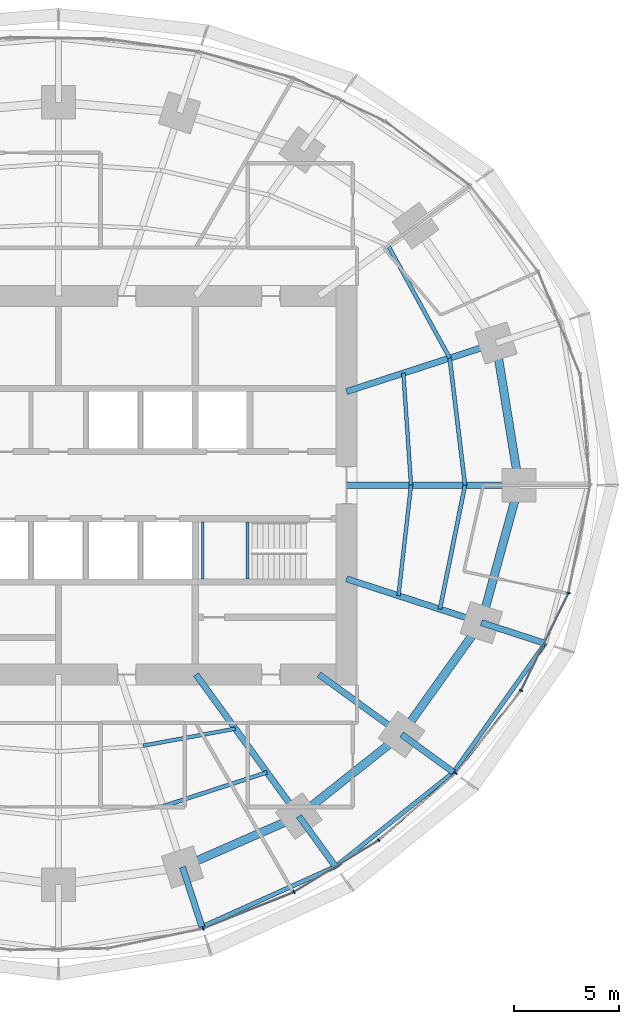
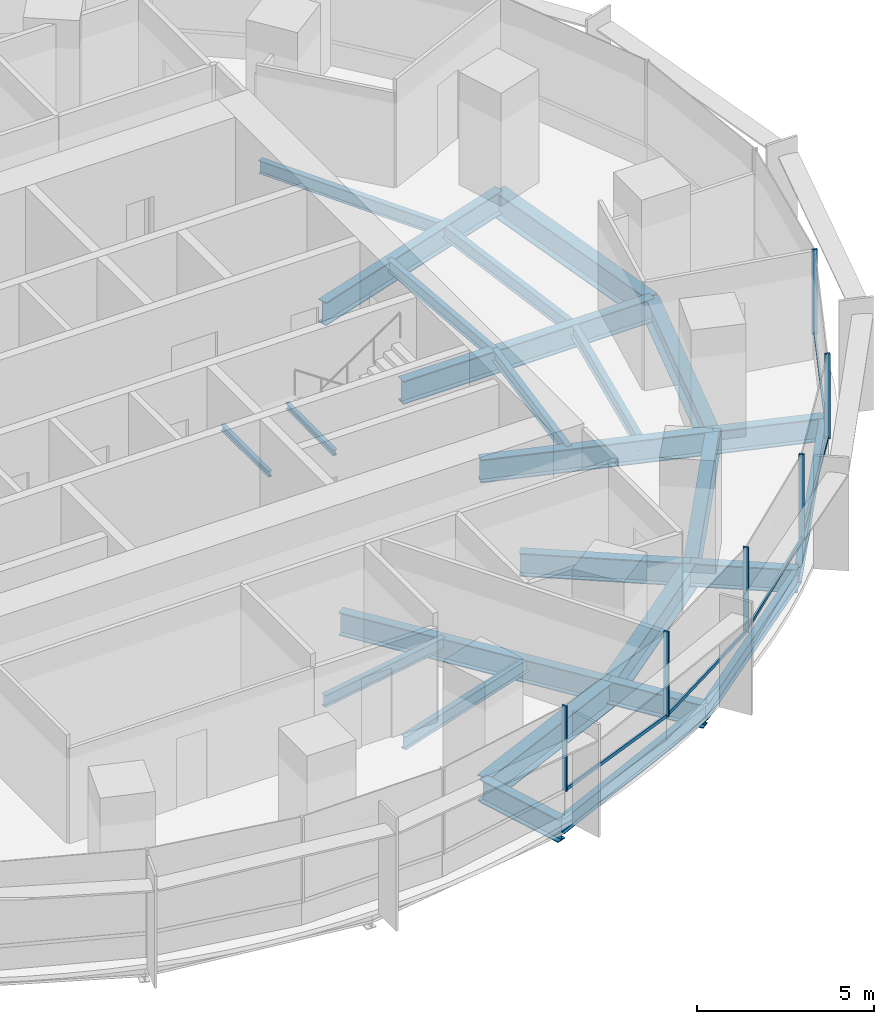
# One storey, part 5 of 14: 26 beams, 11 members, 2 elements without a shape of their own.
"""IFC4 building model written with IfcOpenShell, lengths in metres."""

from ifc_helpers import new_model, si_unit, direction, frame, origin, origin_2d, place, context, subcontext, project, spatial, rectangle, i_section, extrude, material, material_profile, profile_set, type_object, element, aggregate, save


model = new_model("IFC4")

# Units and contexts
model_context = context("Model", 3, precision=1e-05, world=origin(), true_north=direction((0.0, 1.0)))
body_context = subcontext(model_context, "Body", "Model", "MODEL_VIEW")
ifc_project = project(units=[si_unit("LENGTHUNIT", "METRE"), si_unit("AREAUNIT", "SQUARE_METRE"), si_unit("VOLUMEUNIT", "CUBIC_METRE"), si_unit("PLANEANGLEUNIT", "RADIAN"), si_unit("MASSUNIT", "GRAM", prefix="KILO")], contexts=[model_context])

# Site, building, storey
site_placement = place(None, origin())
site = spatial("IfcSite", under=ifc_project, at=site_placement, CompositionType="ELEMENT")
building_placement = place(site_placement, origin())
building = spatial("IfcBuilding", under=site, at=building_placement, Name="Marramba Exchange Tower", CompositionType="ELEMENT")
storey_placement = place(building_placement, frame((0.0, 0.0, 150.89990234375)))
storey = spatial("IfcBuildingStorey", under=building, at=storey_placement, Name="L36", CompositionType="ELEMENT", Elevation=150.89990234375)

# Beams
ifc_material_1 = material(Name="Steel AS/NZS 3679.2 grade 300", Category="steel")
ifc_material_profile_1 = material_profile(ifc_material_1, i_section(OverallWidth=0.300048828125, OverallDepth=0.800048828125, WebThickness=0.013916015625, FlangeThickness=0.031982421875, at=origin_2d()), Name="800WB192")
ifc_profile_set_1 = profile_set([ifc_material_profile_1], Name="Steel AS/NZS 3679.2 grade 300")
beam_type_1 = type_object("IfcBeamType", Name="Cantilever girder 800WB192", PredefinedType="BEAM", material=ifc_profile_set_1)
beam_1_placement = place(storey_placement, frame((5.899658203125, -18.156982421875, -0.559814453125), z_axis=(0.30903246226, -0.951051490336, 0.0), x_axis=(0.951051490336, 0.30903246226, 0.0)))
element("IfcBeam", 1, at=beam_1_placement, inside=storey, type_object=beam_type_1, Name="Cantilever girder L36 TC17", PredefinedType="BEAM", context=body_context, shape_type="SweptSolid", body=[
    extrude(i_section(OverallWidth=0.300048828125, OverallDepth=0.800048828125, WebThickness=0.013916015625, FlangeThickness=0.031982421875, at=origin_2d()), origin(), (0.0, 0.0, 1.0), 2.986328125),
])
beam_2_placement = place(storey_placement, frame((11.430419921875, -15.732666015625, -0.559814453125), z_axis=(0.587794986183, -0.8090099222, 0.0), x_axis=(0.8090099222, 0.587794986183, 0.0)))
element("IfcBeam", 2, at=beam_2_placement, inside=storey, type_object=beam_type_1, Name="Cantilever girder L36 TC18", PredefinedType="BEAM", context=body_context, shape_type="SweptSolid", body=[
    extrude(i_section(OverallWidth=0.300048828125, OverallDepth=0.800048828125, WebThickness=0.013916015625, FlangeThickness=0.031982421875, at=origin_2d()), origin(), (0.0, 0.0, 1.0), 2.9677734375),
])
beam_3_placement = place(storey_placement, frame((16.3154296875, -11.853759765625, -0.559814453125), z_axis=(0.809026231081, -0.587772538847, 0.0), x_axis=(0.587772538847, 0.809026231081, 0.0)))
element("IfcBeam", 3, at=beam_3_placement, inside=storey, type_object=beam_type_1, Name="Cantilever girder L36 TC19", PredefinedType="BEAM", context=body_context, shape_type="SweptSolid", body=[
    extrude(i_section(OverallWidth=0.300048828125, OverallDepth=0.800048828125, WebThickness=0.013916015625, FlangeThickness=0.031982421875, at=origin_2d()), origin(), (0.0, 0.0, 1.0), 3.055419921875),
])
beam_4_placement = place(storey_placement, frame((20.109375, -6.533935546875, -0.559814453125), z_axis=(0.951054839063, -0.309022156318, 0.0), x_axis=(0.309022156318, 0.951054839063, 0.0)))
element("IfcBeam", 4, at=beam_4_placement, inside=storey, type_object=beam_type_1, Name="Cantilever girder L36 TC20", PredefinedType="BEAM", context=body_context, shape_type="SweptSolid", body=[
    extrude(i_section(OverallWidth=0.300048828125, OverallDepth=0.800048828125, WebThickness=0.013916015625, FlangeThickness=0.031982421875, at=origin_2d()), origin(), (0.0, 0.0, 1.0), 3.19580078125),
])
ifc_material_2 = material(Name="Steel AS/NZS 3679.1 grade 300", Category="steel")
ifc_material_profile_2 = material_profile(ifc_material_2, i_section(OverallWidth=0.177978515625, OverallDepth=0.406005859375, WebThickness=0.0078125, FlangeThickness=0.0126953125, FilletRadius=0.011474609375, at=origin_2d()), Name="410UB59.7")
ifc_profile_set_2 = profile_set([ifc_material_profile_2], Name="Steel AS/NZS 3679.1 grade 300")
beam_type_2 = type_object("IfcBeamType", Name="Floor joist 410UB59.7", PredefinedType="JOIST", material=ifc_profile_set_2)
beam_5_placement = place(storey_placement, frame((16.7666015625, 0.0, -0.36279296875), z_axis=(-0.068096259546, 0.99767875563, 0.0), x_axis=(-0.99767875563, -0.068096259546, 0.0)))
element("IfcBeam", 5, at=beam_5_placement, inside=storey, type_object=beam_type_2, Name="Joist L36 bay 01 row 1", PredefinedType="JOIST", context=body_context, shape_type="SweptSolid", body=[
    extrude(i_section(OverallWidth=0.177978515625, OverallDepth=0.406005859375, WebThickness=0.0078125, FlangeThickness=0.0126953125, FilletRadius=0.011474609375, at=origin_2d()), origin(), (0.0, 0.0, 1.0), 5.342041015625),
])
beam_6_placement = place(storey_placement, frame((4.0244140625, -12.3857421875, -0.36279296875), z_axis=(0.983455754421, 0.181148500119, 0.0), x_axis=(-0.181148500119, 0.983455754421, 0.0)))
element("IfcBeam", 6, at=beam_6_placement, inside=storey, type_object=beam_type_2, Name="Joist L36 bay 17 row 1", PredefinedType="JOIST", context=body_context, shape_type="SweptSolid", body=[
    extrude(i_section(OverallWidth=0.177978515625, OverallDepth=0.406005859375, WebThickness=0.0078125, FlangeThickness=0.0126953125, FilletRadius=0.011474609375, at=origin_2d()), origin(), (0.0, 0.0, 1.0), 4.4609375),
])
beam_7_placement = place(storey_placement, frame((16.169677734375, -5.25390625, -0.36279296875), z_axis=(0.112888968594, 0.993607609054, 0.0), x_axis=(-0.993607609054, 0.112888968594, 0.0)))
element("IfcBeam", 7, at=beam_7_placement, inside=storey, type_object=beam_type_2, Name="Joist L36 bay 20 row 1", PredefinedType="JOIST", context=body_context, shape_type="SweptSolid", body=[
    extrude(i_section(OverallWidth=0.177978515625, OverallDepth=0.406005859375, WebThickness=0.0078125, FlangeThickness=0.0126953125, FilletRadius=0.011474609375, at=origin_2d()), origin(), (0.0, 0.0, 1.0), 5.28759765625),
])
ifc_material_profile_3 = material_profile(ifc_material_2, i_section(OverallWidth=0.18994140625, OverallDepth=0.4541015625, WebThickness=0.008544921875, FlangeThickness=0.0126953125, FilletRadius=0.011474609375, at=origin_2d()), Name="460UB67.1")
ifc_profile_set_3 = profile_set([ifc_material_profile_3], Name="Steel AS/NZS 3679.1 grade 300")
beam_type_3 = type_object("IfcBeamType", Name="Floor joist 460UB67.1", PredefinedType="JOIST", material=ifc_profile_set_3)
beam_8_placement = place(storey_placement, frame((19.333251953125, 0.0, -0.386962890625), z_axis=(-0.119523078538, 0.992831422597, 0.0), x_axis=(-0.992831422597, -0.119523078538, 0.0)))
element("IfcBeam", 8, at=beam_8_placement, inside=storey, type_object=beam_type_3, Name="Joist L36 bay 01 row 2", PredefinedType="JOIST", context=body_context, shape_type="SweptSolid", body=[
    extrude(i_section(OverallWidth=0.18994140625, OverallDepth=0.4541015625, WebThickness=0.008544921875, FlangeThickness=0.0126953125, FilletRadius=0.011474609375, at=origin_2d()), origin(), (0.0, 0.0, 1.0), 6.089111328125),
])
beam_9_placement = place(storey_placement, frame((18.60546875, 6.04541015625, -0.386962890625), z_axis=(-0.479584443791, 0.877495732909, 0.0), x_axis=(-0.877495732909, -0.479584443791, 0.0)))
element("IfcBeam", 9, at=beam_9_placement, inside=storey, type_object=beam_type_3, Name="Joist L36 bay 02 row 2", PredefinedType="JOIST", context=body_context, shape_type="SweptSolid", body=[
    extrude(i_section(OverallWidth=0.18994140625, OverallDepth=0.4541015625, WebThickness=0.008544921875, FlangeThickness=0.0126953125, FilletRadius=0.011474609375, at=origin_2d()), origin(), (0.0, 0.0, 1.0), 6.094970703125),
])
beam_10_placement = place(storey_placement, frame((4.9619140625, -15.271484375, -0.386962890625), z_axis=(0.950764024931, 0.309915744834, 0.0), x_axis=(-0.309915744834, 0.950764024931, 0.0)))
element("IfcBeam", 10, at=beam_10_placement, inside=storey, type_object=beam_type_3, Name="Joist L36 bay 17 row 2", PredefinedType="JOIST", context=body_context, shape_type="SweptSolid", body=[
    extrude(i_section(OverallWidth=0.18994140625, OverallDepth=0.4541015625, WebThickness=0.008544921875, FlangeThickness=0.0126953125, FilletRadius=0.011474609375, at=origin_2d()), origin(), (0.0, 0.0, 1.0), 5.2158203125),
])
beam_11_placement = place(storey_placement, frame((18.1396484375, -5.893798828125, -0.386962890625), z_axis=(0.198489047047, 0.980103105904, 0.0), x_axis=(-0.980103105904, 0.198489047047, 0.0)))
element("IfcBeam", 11, at=beam_11_placement, inside=storey, type_object=beam_type_3, Name="Joist L36 bay 20 row 2", PredefinedType="JOIST", context=body_context, shape_type="SweptSolid", body=[
    extrude(i_section(OverallWidth=0.18994140625, OverallDepth=0.4541015625, WebThickness=0.008544921875, FlangeThickness=0.0126953125, FilletRadius=0.011474609375, at=origin_2d()), origin(), (0.0, 0.0, 1.0), 6.013427734375),
])

# Curtain wall, member
ifc_material_3 = material(Name="Aluminium framing, bronze anodised", Category="aluminium")
curtain_wall_type = type_object("IfcCurtainWallType", Name="Office ribbon curtain wall", PredefinedType="USERDEFINED", material=ifc_material_3)
curtain_wall_1_placement = place(storey_placement, origin())
curtain_wall_1 = element("IfcCurtainWall", 12, at=curtain_wall_1_placement, inside=storey, type_object=curtain_wall_type, Name="Curtain wall CW4 L36 F21-F25", ObjectType="RIBBON CURTAIN WALL", PredefinedType="USERDEFINED")
ifc_material_4 = material(Name="Aluminium mullion, bronze anodised", Category="aluminium")
ifc_material_profile_4 = material_profile(ifc_material_4, rectangle(XDim=0.159912109375, YDim=0.06005859375, at=origin_2d()), Name="CW4 mullion 60x160")
ifc_profile_set_4 = profile_set([ifc_material_profile_4], Name="Aluminium mullion, bronze anodised")
member_type_1 = type_object("IfcMemberType", Name="Office ribbon curtain wall mullion", PredefinedType="MULLION", material=ifc_profile_set_4)
member_1_placement = place(storey_placement, frame((6.881103515625, -21.0810546875, 0.800048828125), z_axis=(0.0, 0.0, 1.0), x_axis=(-0.372209067082, 0.928148916059, 0.0)))
member_1 = element("IfcMember", 13, at=member_1_placement, type_object=member_type_1, Name="CW4 mullion 1", PredefinedType="MULLION", context=body_context, shape_type="SweptSolid", body=[
    extrude(rectangle(XDim=0.159912109375, YDim=0.06005859375, at=origin_2d()), origin(), (0.0, 0.0, 1.0), 2.93994140625),
])

# Curtain wall, members
curtain_wall_2_placement = place(storey_placement, origin())
curtain_wall_2 = element("IfcCurtainWall", 14, at=curtain_wall_2_placement, inside=storey, type_object=curtain_wall_type, Name="Curtain wall CW4 L36 F26-F30", ObjectType="RIBBON CURTAIN WALL", PredefinedType="USERDEFINED")
member_2_placement = place(storey_placement, frame((11.2021484375, -19.3427734375, 0.800048828125), z_axis=(0.0, 0.0, 1.0), x_axis=(-0.521732535664, 0.853109114492, 0.0)))
member_2 = element("IfcMember", 15, at=member_2_placement, type_object=member_type_1, Name="CW4 mullion 1", PredefinedType="MULLION", context=body_context, shape_type="SweptSolid", body=[
    extrude(rectangle(XDim=0.159912109375, YDim=0.06005859375, at=origin_2d()), origin(), (0.0, 0.0, 1.0), 2.93994140625),
])
member_3_placement = place(storey_placement, frame((15.232177734375, -16.872314453125, 0.800048828125), z_axis=(0.0, 0.0, 1.0), x_axis=(-0.656431647438, 0.754385506384, 0.0)))
member_3 = element("IfcMember", 16, at=member_3_placement, type_object=member_type_1, Name="CW4 mullion 1", PredefinedType="MULLION", context=body_context, shape_type="SweptSolid", body=[
    extrude(rectangle(XDim=0.159912109375, YDim=0.06005859375, at=origin_2d()), origin(), (0.0, 0.0, 1.0), 2.93994140625),
])
member_4_placement = place(storey_placement, frame((18.886962890625, -13.68505859375, 0.800048828125), z_axis=(0.0, 0.0, 1.0), x_axis=(-0.783170139469, 0.621807472329, 0.0)))
member_4 = element("IfcMember", 17, at=member_4_placement, type_object=member_type_1, Name="CW4 mullion 1", PredefinedType="MULLION", context=body_context, shape_type="SweptSolid", body=[
    extrude(rectangle(XDim=0.159912109375, YDim=0.06005859375, at=origin_2d()), origin(), (0.0, 0.0, 1.0), 2.93994140625),
])
member_5_placement = place(storey_placement, frame((21.994873046875, -9.760009765625, 0.800048828125), z_axis=(0.0, 0.0, 1.0), x_axis=(-0.89844486976, 0.439086342308, 0.0)))
member_5 = element("IfcMember", 18, at=member_5_placement, type_object=member_type_1, Name="CW4 mullion 1", PredefinedType="MULLION", context=body_context, shape_type="SweptSolid", body=[
    extrude(rectangle(XDim=0.159912109375, YDim=0.06005859375, at=origin_2d()), origin(), (0.0, 0.0, 1.0), 2.93994140625),
])
member_6_placement = place(storey_placement, frame((24.252197265625, -5.124267578125, 0.800048828125), z_axis=(0.0, 0.0, 1.0), x_axis=(-0.980393739376, 0.197048511267, 0.0)))
member_6 = element("IfcMember", 19, at=member_6_placement, type_object=member_type_1, Name="CW4 mullion 1", PredefinedType="MULLION", context=body_context, shape_type="SweptSolid", body=[
    extrude(rectangle(XDim=0.159912109375, YDim=0.06005859375, at=origin_2d()), origin(), (0.0, 0.0, 1.0), 2.93994140625),
])

# Member
ifc_material_5 = material(Name="Aluminium transom, bronze anodised", Category="aluminium")
ifc_material_profile_5 = material_profile(ifc_material_5, rectangle(XDim=0.06005859375, YDim=0.1201171875, at=origin_2d()), Name="CW4 transom 60x120")
ifc_profile_set_5 = profile_set([ifc_material_profile_5], Name="Aluminium transom, bronze anodised")
member_type_2 = type_object("IfcMemberType", Name="Office ribbon curtain wall transom", PredefinedType="USERDEFINED", material=ifc_profile_set_5)
member_7_placement = place(storey_placement, frame((6.908935546875, -21.06982421875, 0.830078125), z_axis=(0.928146753748, 0.372214459026, 0.0), x_axis=(-0.372214459026, 0.928146753748, 0.0)))
member_7 = element("IfcMember", 20, at=member_7_placement, type_object=member_type_2, Name="CW4 sill transom", ObjectType="TRANSOM", PredefinedType="USERDEFINED", context=body_context, shape_type="SweptSolid", body=[
    extrude(rectangle(XDim=0.06005859375, YDim=0.1201171875, at=origin_2d()), origin(), (0.0, 0.0, 1.0), 4.597900390625),
])

aggregate(curtain_wall_1, [member_1, member_7])

member_8_placement = place(storey_placement, frame((11.227783203125, -19.3271484375, 0.830078125), z_axis=(0.853124051379, 0.52170811088, 0.0), x_axis=(-0.52170811088, 0.853124051379, 0.0)))
member_8 = element("IfcMember", 21, at=member_8_placement, type_object=member_type_2, Name="CW4 sill transom", ObjectType="TRANSOM", PredefinedType="USERDEFINED", context=body_context, shape_type="SweptSolid", body=[
    extrude(rectangle(XDim=0.06005859375, YDim=0.1201171875, at=origin_2d()), origin(), (0.0, 0.0, 1.0), 4.66748046875),
])

member_9_placement = place(storey_placement, frame((15.2548828125, -16.8525390625, 0.830078125), z_axis=(0.754392594189, 0.65642350189, 0.0), x_axis=(-0.65642350189, 0.754392594189, 0.0)))
member_9 = element("IfcMember", 22, at=member_9_placement, type_object=member_type_2, Name="CW4 sill transom", ObjectType="TRANSOM", PredefinedType="USERDEFINED", context=body_context, shape_type="SweptSolid", body=[
    extrude(rectangle(XDim=0.06005859375, YDim=0.1201171875, at=origin_2d()), origin(), (0.0, 0.0, 1.0), 4.78955078125),
])

member_10_placement = place(storey_placement, frame((18.905517578125, -13.66162109375, 0.830078125), z_axis=(0.621777997945, 0.783193540111, 0.0), x_axis=(-0.783193540111, 0.621777997945, 0.0)))
member_10 = element("IfcMember", 23, at=member_10_placement, type_object=member_type_2, Name="CW4 sill transom", ObjectType="TRANSOM", PredefinedType="USERDEFINED", context=body_context, shape_type="SweptSolid", body=[
    extrude(rectangle(XDim=0.06005859375, YDim=0.1201171875, at=origin_2d()), origin(), (0.0, 0.0, 1.0), 4.947265625),
])

member_11_placement = place(storey_placement, frame((22.008056640625, -9.73291015625, 0.830078125), z_axis=(0.439090714557, 0.898442732949, 0.0), x_axis=(-0.898442732949, 0.439090714557, 0.0)))
member_11 = element("IfcMember", 24, at=member_11_placement, type_object=member_type_2, Name="CW4 sill transom", ObjectType="TRANSOM", PredefinedType="USERDEFINED", context=body_context, shape_type="SweptSolid", body=[
    extrude(rectangle(XDim=0.06005859375, YDim=0.1201171875, at=origin_2d()), origin(), (0.0, 0.0, 1.0), 5.096923828125),
])

aggregate(curtain_wall_2, [member_2, member_8, member_3, member_9, member_4, member_10, member_5, member_11, member_6])

# Beams
ifc_material_profile_6 = material_profile(ifc_material_1, i_section(OverallWidth=0.300048828125, OverallDepth=0.800048828125, WebThickness=0.013916015625, FlangeThickness=0.031982421875, at=origin_2d()), Name="800WB192")
ifc_profile_set_6 = profile_set([ifc_material_profile_6], Name="Steel AS/NZS 3679.2 grade 300")
beam_type_4 = type_object("IfcBeamType", Name="Radial girder 800WB192", PredefinedType="BEAM", material=ifc_profile_set_6)
beam_12_placement = place(storey_placement, frame((13.699951171875, 0.0, -0.559814453125), z_axis=(1.0, 0.0, 0.0), x_axis=(0.0, 1.0, 0.0)))
element("IfcBeam", 25, at=beam_12_placement, inside=storey, type_object=beam_type_4, Name="Radial girder L36 TC01", PredefinedType="BEAM", context=body_context, shape_type="SweptSolid", body=[
    extrude(i_section(OverallWidth=0.300048828125, OverallDepth=0.800048828125, WebThickness=0.013916015625, FlangeThickness=0.031982421875, at=origin_2d()), origin(), (0.0, 0.0, 1.0), 8.199951171875),
])
beam_13_placement = place(storey_placement, frame((13.699951171875, 4.451416015625, -0.559814453125), z_axis=(0.951059990189, 0.309006302624, 0.0), x_axis=(-0.309006302624, 0.951059990189, 0.0)))
element("IfcBeam", 26, at=beam_13_placement, inside=storey, type_object=beam_type_4, Name="Radial girder L36 TC02", PredefinedType="BEAM", context=body_context, shape_type="SweptSolid", body=[
    extrude(i_section(OverallWidth=0.300048828125, OverallDepth=0.800048828125, WebThickness=0.013916015625, FlangeThickness=0.031982421875, at=origin_2d()), origin(), (0.0, 0.0, 1.0), 7.47412109375),
])
beam_14_placement = place(storey_placement, frame((6.538818359375, -9.0, -0.559814453125), z_axis=(0.587787877172, -0.809015087282, 0.0), x_axis=(0.809015087282, 0.587787877172, 0.0)))
element("IfcBeam", 27, at=beam_14_placement, inside=storey, type_object=beam_type_4, Name="Radial girder L36 TC18", PredefinedType="BEAM", context=body_context, shape_type="SweptSolid", body=[
    extrude(i_section(OverallWidth=0.300048828125, OverallDepth=0.800048828125, WebThickness=0.013916015625, FlangeThickness=0.031982421875, at=origin_2d()), origin(), (0.0, 0.0, 1.0), 8.322021484375),
])
beam_15_placement = place(storey_placement, frame((12.387451171875, -9.0, -0.559814453125), z_axis=(0.809025189606, -0.58777397236, 0.0), x_axis=(0.58777397236, 0.809025189606, 0.0)))
element("IfcBeam", 28, at=beam_15_placement, inside=storey, type_object=beam_type_4, Name="Radial girder L36 TC19", PredefinedType="BEAM", context=body_context, shape_type="SweptSolid", body=[
    extrude(i_section(OverallWidth=0.300048828125, OverallDepth=0.800048828125, WebThickness=0.013916015625, FlangeThickness=0.031982421875, at=origin_2d()), origin(), (0.0, 0.0, 1.0), 4.855224609375),
])
beam_16_placement = place(storey_placement, frame((13.699951171875, -4.451416015625, -0.559814453125), z_axis=(0.951057759669, -0.309013167637, 0.0), x_axis=(0.309013167637, 0.951057759669, 0.0)))
element("IfcBeam", 29, at=beam_16_placement, inside=storey, type_object=beam_type_4, Name="Radial girder L36 TC20", PredefinedType="BEAM", context=body_context, shape_type="SweptSolid", body=[
    extrude(i_section(OverallWidth=0.300048828125, OverallDepth=0.800048828125, WebThickness=0.013916015625, FlangeThickness=0.031982421875, at=origin_2d()), origin(), (0.0, 0.0, 1.0), 6.7392578125),
])
ifc_material_profile_7 = material_profile(ifc_material_1, i_section(OverallWidth=0.39990234375, OverallDepth=0.89990234375, WebThickness=0.01611328125, FlangeThickness=0.031982421875, at=origin_2d()), Name="900WB282")
ifc_profile_set_7 = profile_set([ifc_material_profile_7], Name="Steel AS/NZS 3679.2 grade 300")
beam_type_5 = type_object("IfcBeamType", Name="Ring beam 900WB282", PredefinedType="SPANDREL", material=ifc_profile_set_7)
beam_17_placement = place(storey_placement, frame((21.89990234375, 0.0, -0.60986328125), z_axis=(-0.159384865399, 0.987216523708, 0.0), x_axis=(-0.987216523708, -0.159384865399, 0.0)))
element("IfcBeam", 30, at=beam_17_placement, inside=storey, type_object=beam_type_5, Name="Ring beam L36 TC01-TC02", PredefinedType="SPANDREL", context=body_context, shape_type="SweptSolid", body=[
    extrude(i_section(OverallWidth=0.39990234375, OverallDepth=0.89990234375, WebThickness=0.01611328125, FlangeThickness=0.031982421875, at=origin_2d()), origin(), (0.0, 0.0, 1.0), 6.8486328125),
])
beam_18_placement = place(storey_placement, frame((5.899658203125, -18.156982421875, -0.60986328125), z_axis=(0.915876892158, 0.4014592363, 0.0), x_axis=(-0.4014592363, 0.915876892158, 0.0)))
element("IfcBeam", 31, at=beam_18_placement, inside=storey, type_object=beam_type_5, Name="Ring beam L36 TC17-TC18", PredefinedType="SPANDREL", context=body_context, shape_type="SweptSolid", body=[
    extrude(i_section(OverallWidth=0.39990234375, OverallDepth=0.89990234375, WebThickness=0.01611328125, FlangeThickness=0.031982421875, at=origin_2d()), origin(), (0.0, 0.0, 1.0), 6.038818359375),
])
beam_19_placement = place(storey_placement, frame((11.430419921875, -15.732666015625, -0.60986328125), z_axis=(0.783139438128, 0.621846138887, 0.0), x_axis=(-0.621846138887, 0.783139438128, 0.0)))
element("IfcBeam", 32, at=beam_19_placement, inside=storey, type_object=beam_type_5, Name="Ring beam L36 TC18-TC19", PredefinedType="SPANDREL", context=body_context, shape_type="SweptSolid", body=[
    extrude(i_section(OverallWidth=0.39990234375, OverallDepth=0.89990234375, WebThickness=0.01611328125, FlangeThickness=0.031982421875, at=origin_2d()), origin(), (0.0, 0.0, 1.0), 6.23779296875),
])
beam_20_placement = place(storey_placement, frame((16.3154296875, -11.853759765625, -0.60986328125), z_axis=(0.580637181111, 0.814162430914, 0.0), x_axis=(-0.814162430914, 0.580637181111, 0.0)))
element("IfcBeam", 33, at=beam_20_placement, inside=storey, type_object=beam_type_5, Name="Ring beam L36 TC19-TC20", PredefinedType="SPANDREL", context=body_context, shape_type="SweptSolid", body=[
    extrude(i_section(OverallWidth=0.39990234375, OverallDepth=0.89990234375, WebThickness=0.01611328125, FlangeThickness=0.031982421875, at=origin_2d()), origin(), (0.0, 0.0, 1.0), 6.5341796875),
])
beam_21_placement = place(storey_placement, frame((20.109375, -6.533935546875, -0.60986328125), z_axis=(0.264291166956, 0.964442937176, 0.0), x_axis=(-0.964442937176, 0.264291166956, 0.0)))
element("IfcBeam", 34, at=beam_21_placement, inside=storey, type_object=beam_type_5, Name="Ring beam L36 TC20-TC01", PredefinedType="SPANDREL", context=body_context, shape_type="SweptSolid", body=[
    extrude(i_section(OverallWidth=0.39990234375, OverallDepth=0.89990234375, WebThickness=0.01611328125, FlangeThickness=0.031982421875, at=origin_2d()), origin(), (0.0, 0.0, 1.0), 6.77490234375),
])
ifc_material_profile_8 = material_profile(ifc_material_2, i_section(OverallWidth=0.208984375, OverallDepth=0.528076171875, WebThickness=0.009521484375, FlangeThickness=0.01318359375, FilletRadius=0.013916015625, at=origin_2d()), Name="530UB82.0")
ifc_profile_set_8 = profile_set([ifc_material_profile_8], Name="Steel AS/NZS 3679.1 grade 300")
beam_type_6 = type_object("IfcBeamType", Name="Slab edge beam 530UB82.0", PredefinedType="SPANDREL", material=ifc_profile_set_8)
beam_22_placement = place(storey_placement, frame((6.822509765625, -20.9970703125, -0.423828125), z_axis=(0.911653171624, 0.410960453898, 0.0), x_axis=(-0.410960453898, 0.911653171624, 0.0)))
element("IfcBeam", 35, at=beam_22_placement, inside=storey, type_object=beam_type_6, Name="Slab edge beam L36 TC17-TC18", PredefinedType="SPANDREL", context=body_context, shape_type="SweptSolid", body=[
    extrude(i_section(OverallWidth=0.208984375, OverallDepth=0.528076171875, WebThickness=0.009521484375, FlangeThickness=0.01318359375, FilletRadius=0.013916015625, at=origin_2d()), origin(), (0.0, 0.0, 1.0), 6.9677734375),
])
beam_23_placement = place(storey_placement, frame((13.1748046875, -18.133544921875, -0.423828125), z_axis=(0.781286404457, 0.624172695822, 0.0), x_axis=(-0.624172695822, 0.781286404457, 0.0)))
element("IfcBeam", 36, at=beam_23_placement, inside=storey, type_object=beam_type_6, Name="Slab edge beam L36 TC18-TC19", PredefinedType="SPANDREL", context=body_context, shape_type="SweptSolid", body=[
    extrude(i_section(OverallWidth=0.208984375, OverallDepth=0.528076171875, WebThickness=0.009521484375, FlangeThickness=0.01318359375, FilletRadius=0.013916015625, at=origin_2d()), origin(), (0.0, 0.0, 1.0), 7.183837890625),
])
beam_24_placement = place(storey_placement, frame((18.787353515625, -13.649658203125, -0.423828125), z_axis=(0.579834168245, 0.814734519543, 0.0), x_axis=(-0.814734519543, 0.579834168245, 0.0)))
element("IfcBeam", 37, at=beam_24_placement, inside=storey, type_object=beam_type_6, Name="Slab edge beam L36 TC19-TC20", PredefinedType="SPANDREL", context=body_context, shape_type="SweptSolid", body=[
    extrude(i_section(OverallWidth=0.208984375, OverallDepth=0.528076171875, WebThickness=0.009521484375, FlangeThickness=0.01318359375, FilletRadius=0.013916015625, at=origin_2d()), origin(), (0.0, 0.0, 1.0), 7.521728515625),
])
ifc_material_profile_9 = material_profile(ifc_material_2, i_section(OverallWidth=0.133056640625, OverallDepth=0.202880859375, WebThickness=0.005859375, FlangeThickness=0.0078125, FilletRadius=0.0087890625, at=origin_2d()), Name="200UB25.4")
ifc_profile_set_9 = profile_set([ifc_material_profile_9], Name="Steel AS/NZS 3679.1 grade 300")
beam_type_7 = type_object("IfcBeamType", Name="Stair landing beam 200UB25.4", PredefinedType="BEAM", material=ifc_profile_set_9)
for number, where, z_axis, x_axis, name in (
    (38, (6.866455078125, -4.449951171875, 1.648681640625), (0.0, 1.0, 0.0), (-1.0, 0.0, 0.0), "Stair landing beam SLB1 ST2 L36 1"),
    (39, (8.9833984375, -4.449951171875, 1.648681640625), (0.0, 1.0, 0.0), (-1.0, 0.0, 0.0), "Stair landing beam SLB1 ST2 L36 2"),
):
    element("IfcBeam", number, at=place(storey_placement, frame(where, z_axis=z_axis, x_axis=x_axis)), inside=storey, type_object=beam_type_7, Name=name, PredefinedType="BEAM", context=body_context, shape_type="SweptSolid", body=[
        extrude(i_section(OverallWidth=0.133056640625, OverallDepth=0.202880859375, WebThickness=0.005859375, FlangeThickness=0.0078125, FilletRadius=0.0087890625, at=origin_2d()), origin(), (0.0, 0.0, 1.0), 2.699951171875),
    ])

save(model, "model.ifc")
